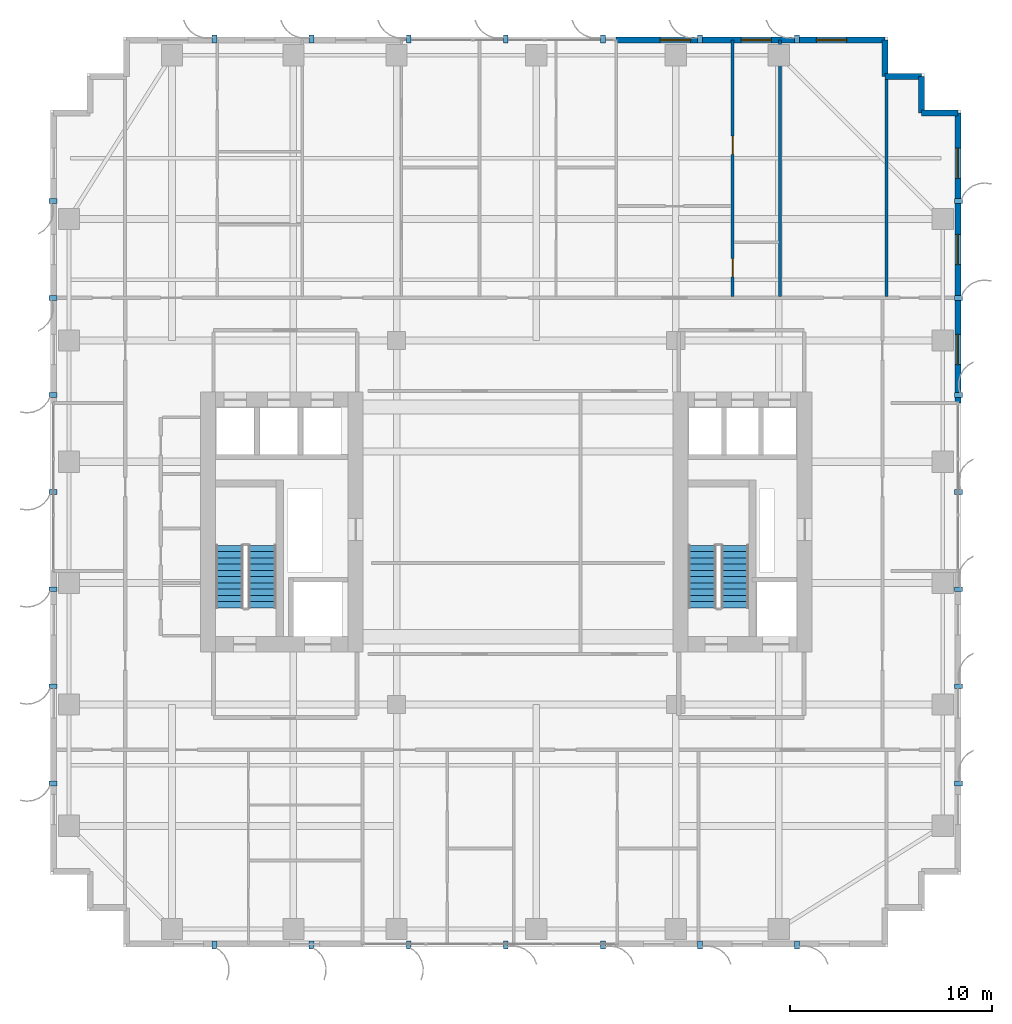
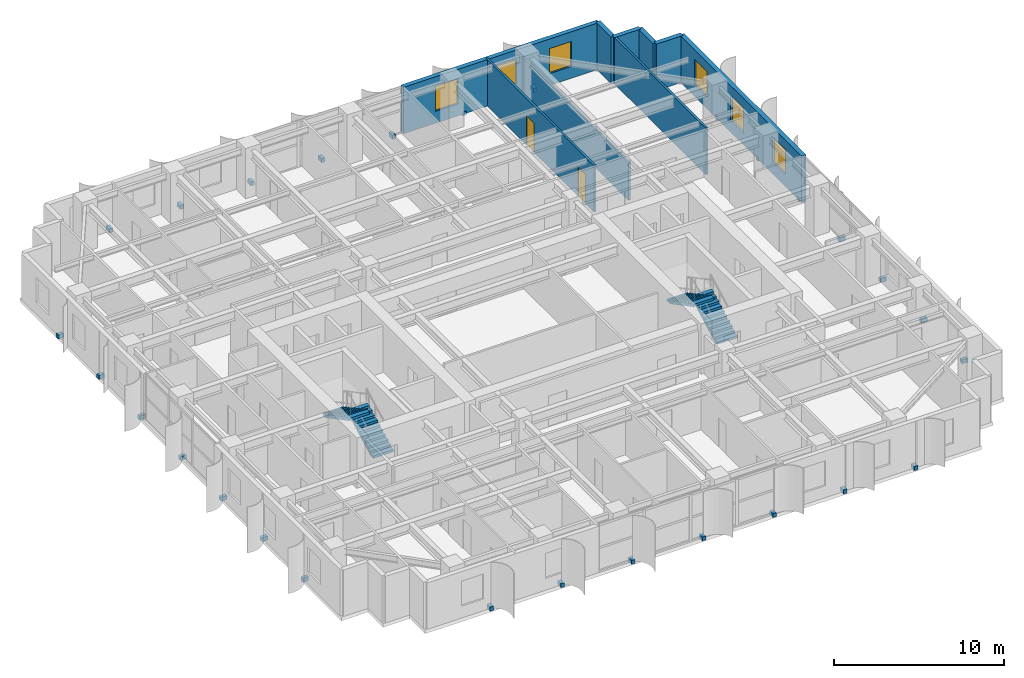
# One storey, part 16 of 19: 28 discrete accessories, 9 walls, 6 windows, 4 stair flights, 2 doors, 8 openings, 2 elements without a shape of their own.
"""IFC4 building model written with IfcOpenShell, lengths in metres."""

from ifc_helpers import new_model, si_unit, direction, frame, frame_2d, origin, origin_2d, place, context, subcontext, project, spatial, polyline, rectangle, outline, extrude, source, transform, mapped, material, layer, layer_set, type_object, element, fill, aggregate, save


model = new_model("IFC4")

# Units and contexts
model_context = context("Model", 3, precision=1e-05, world=origin(), true_north=direction((0.0, 1.0)))
body_context = subcontext(model_context, "Body", "Model", "MODEL_VIEW")
ifc_project = project(units=[si_unit("LENGTHUNIT", "METRE"), si_unit("AREAUNIT", "SQUARE_METRE"), si_unit("VOLUMEUNIT", "CUBIC_METRE"), si_unit("PLANEANGLEUNIT", "RADIAN"), si_unit("MASSUNIT", "GRAM", prefix="KILO")], contexts=[model_context])

# Site, building, storey
site_placement = place(None, origin())
site = spatial("IfcSite", under=ifc_project, at=site_placement, CompositionType="ELEMENT")
building_placement = place(site_placement, origin())
building = spatial("IfcBuilding", under=site, at=building_placement, Name="Khoralis Quay Care Tower", CompositionType="ELEMENT")
storey_placement = place(building_placement, frame((0.0, 0.0, 90.89990234375)))
storey = spatial("IfcBuildingStorey", under=building, at=storey_placement, Name="L23", CompositionType="ELEMENT", Elevation=90.89990234375)

# Wall, openings, windows
ifc_material_1 = material(Name="Precast concrete C45/55", Category="concrete")
ifc_layer_1 = layer(ifc_material_1, 0.300048828125)
ifc_layer_set_1 = layer_set([ifc_layer_1], Name="Precast concrete C45/55")
wall_type_1 = type_object("IfcWallType", Name="WL-EXT-REF-300", PredefinedType="SOLIDWALL", material=ifc_layer_set_1)
wall_1_placement = place(storey_placement, frame((44.85009765625, 26.89990234375, 0.0), z_axis=(0.0, 0.0, 1.0), x_axis=(0.0, 1.0, 0.0)))
wall_1 = element("IfcWall", 1, at=wall_1_placement, inside=storey, type_object=wall_type_1, Name="L23 External Facade Wall WL-EXT-L23-P1-E5B", PredefinedType="SOLIDWALL", context=body_context, shape_type="SweptSolid", body=[
    extrude(rectangle(XDim=14.35009765625, YDim=0.300048828125, at=frame_2d((7.175048828125, 0.0))), origin(), (0.0, 0.0, 1.0), 3.340087890625),
])
opening_1_placement = place(wall_1_placement, frame((1.89990234375, 0.0, 0.85009765625)))
opening_1 = element("IfcOpeningElement", 2, at=opening_1_placement, cuts=wall_1, Name="Opening W3", PredefinedType="OPENING", context=body_context, shape_type="SweptSolid", body=[
    extrude(rectangle(XDim=1.5, YDim=1.800048828125, at=frame_2d((0.75, 0.89990234375))), frame((0.0, 0.16015625, 0.0), z_axis=(0.0, -1.0, 0.0), x_axis=(1.0, 0.0, 0.0)), (0.0, 0.0, 1.0), 0.320068359375),
])
opening_2_placement = place(wall_1_placement, frame((6.842529296875, 0.0, 0.85009765625)))
opening_2 = element("IfcOpeningElement", 3, at=opening_2_placement, cuts=wall_1, Name="Opening W3", PredefinedType="OPENING", context=body_context, shape_type="SweptSolid", body=[
    extrude(rectangle(XDim=1.5, YDim=1.800048828125, at=frame_2d((0.75, 0.89990234375))), frame((0.0, 0.16015625, 0.0), z_axis=(0.0, -1.0, 0.0), x_axis=(1.0, 0.0, 0.0)), (0.0, 0.0, 1.0), 0.320068359375),
])
opening_3_placement = place(wall_1_placement, frame((11.107421875, 0.0, 0.85009765625)))
opening_3 = element("IfcOpeningElement", 4, at=opening_3_placement, cuts=wall_1, Name="Opening W3", PredefinedType="OPENING", context=body_context, shape_type="SweptSolid", body=[
    extrude(rectangle(XDim=1.5, YDim=1.800048828125, at=frame_2d((0.75, 0.89990234375))), frame((0.0, 0.16015625, 0.0), z_axis=(0.0, -1.0, 0.0), x_axis=(1.0, 0.0, 0.0)), (0.0, 0.0, 1.0), 0.320068359375),
])
ifc_material_2 = material(Name="Low-E solar-control double glazing", Category="glass")
window_type = type_object("IfcWindowType", Name="WN-CLIN-1500X1800", PartitioningType="SINGLE_PANEL", PredefinedType="WINDOW", material=ifc_material_2)
shared_shape_1 = source(origin(), body_context, "Body", "SweptSolid", [
    extrude(rectangle(XDim=1.5, YDim=1.800048828125, at=frame_2d((0.75, 0.89990234375))), frame((0.0, 0.030029296875, 0.0), z_axis=(0.0, -1.0, 0.0), x_axis=(1.0, 0.0, 0.0)), (0.0, 0.0, 1.0), 0.06005859375),
])
window_1_placement = place(opening_1_placement, origin())
window_1 = element("IfcWindow", 5, at=window_1_placement, inside=storey, type_object=window_type, Name="WN-L23-P1-E5B Facade Window 01", OverallHeight=1.800048828125, OverallWidth=1.5, PartitioningType="SINGLE_PANEL", PredefinedType="WINDOW", context=body_context, shape_type="MappedRepresentation", body=[
    mapped(shared_shape_1, transform((0.0, 0.0, 0.0), scale=1.0)),
])
fill(opening_1, window_1)
window_2_placement = place(opening_2_placement, origin())
window_2 = element("IfcWindow", 6, at=window_2_placement, inside=storey, type_object=window_type, Name="WN-L23-P1-E5B Facade Window 02", OverallHeight=1.800048828125, OverallWidth=1.5, PartitioningType="SINGLE_PANEL", PredefinedType="WINDOW", context=body_context, shape_type="MappedRepresentation", body=[
    mapped(shared_shape_1, transform((0.0, 0.0, 0.0), scale=1.0)),
])
fill(opening_2, window_2)
window_3_placement = place(opening_3_placement, origin())
window_3 = element("IfcWindow", 7, at=window_3_placement, inside=storey, type_object=window_type, Name="WN-L23-P1-E5B Facade Window 03", OverallHeight=1.800048828125, OverallWidth=1.5, PartitioningType="SINGLE_PANEL", PredefinedType="WINDOW", context=body_context, shape_type="MappedRepresentation", body=[
    mapped(shared_shape_1, transform((0.0, 0.0, 0.0), scale=1.0)),
])
fill(opening_3, window_3)

# Walls
for number, where, z_axis, x_axis, name in (
    (8, (44.85009765625, 41.25, 0.0), (0.0, 0.0, 1.0), (-1.0, 0.0, 0.0), "L23 External Facade Wall WL-EXT-L23-P1-C6"),
    (9, (43.050048828125, 41.25, 0.0), (0.0, 0.0, 1.0), (0.0, 1.0, 0.0), "L23 External Facade Wall WL-EXT-L23-P1-C7"),
    (10, (43.050048828125, 43.050048828125, 0.0), (0.0, 0.0, 1.0), (-1.0, 0.0, 0.0), "L23 External Facade Wall WL-EXT-L23-P1-C8"),
    (11, (41.25, 43.050048828125, 0.0), (0.0, 0.0, 1.0), (0.0, 1.0, 0.0), "L23 External Facade Wall WL-EXT-L23-P1-C9"),
):
    element("IfcWall", number, at=place(storey_placement, frame(where, z_axis=z_axis, x_axis=x_axis)), inside=storey, type_object=wall_type_1, Name=name, PredefinedType="SOLIDWALL", context=body_context, shape_type="SweptSolid", body=[
        extrude(rectangle(XDim=1.800048828125, YDim=0.300048828125, at=frame_2d((0.89990234375, 0.0))), origin(), (0.0, 0.0, 1.0), 3.340087890625),
    ])

# Wall, openings, windows
wall_2_placement = place(storey_placement, frame((41.25, 44.85009765625, 0.0), z_axis=(0.0, 0.0, 1.0), x_axis=(-1.0, 0.0, 0.0)))
wall_2 = element("IfcWall", 12, at=wall_2_placement, inside=storey, type_object=wall_type_1, Name="L23 External Facade Wall WL-EXT-L23-P1-E10A", PredefinedType="SOLIDWALL", context=body_context, shape_type="SweptSolid", body=[
    extrude(rectangle(XDim=13.2900390625, YDim=0.300048828125, at=frame_2d((6.64501953125, 0.0))), origin(), (0.0, 0.0, 1.0), 3.340087890625),
])
opening_4_placement = place(wall_2_placement, frame((1.89501953125, 0.0, 0.85009765625)))
opening_4 = element("IfcOpeningElement", 13, at=opening_4_placement, cuts=wall_2, Name="Opening W3", PredefinedType="OPENING", context=body_context, shape_type="SweptSolid", body=[
    extrude(rectangle(XDim=1.5, YDim=1.800048828125, at=frame_2d((0.75, 0.89990234375))), frame((0.0, 0.16015625, 0.0), z_axis=(0.0, -1.0, 0.0), x_axis=(1.0, 0.0, 0.0)), (0.0, 0.0, 1.0), 0.320068359375),
])
opening_5_placement = place(wall_2_placement, frame((5.614990234375, 0.0, 0.85009765625)))
opening_5 = element("IfcOpeningElement", 14, at=opening_5_placement, cuts=wall_2, Name="Opening W3", PredefinedType="OPENING", context=body_context, shape_type="SweptSolid", body=[
    extrude(rectangle(XDim=1.5, YDim=1.800048828125, at=frame_2d((0.75, 0.89990234375))), frame((0.0, 0.16015625, 0.0), z_axis=(0.0, -1.0, 0.0), x_axis=(1.0, 0.0, 0.0)), (0.0, 0.0, 1.0), 0.320068359375),
])
opening_6_placement = place(wall_2_placement, frame((9.614990234375, 0.0, 0.85009765625)))
opening_6 = element("IfcOpeningElement", 15, at=opening_6_placement, cuts=wall_2, Name="Opening W3", PredefinedType="OPENING", context=body_context, shape_type="SweptSolid", body=[
    extrude(rectangle(XDim=1.5, YDim=1.800048828125, at=frame_2d((0.75, 0.89990234375))), frame((0.0, 0.16015625, 0.0), z_axis=(0.0, -1.0, 0.0), x_axis=(1.0, 0.0, 0.0)), (0.0, 0.0, 1.0), 0.320068359375),
])
window_4_placement = place(opening_4_placement, origin())
window_4 = element("IfcWindow", 16, at=window_4_placement, inside=storey, type_object=window_type, Name="WN-L23-P1-E10A Facade Window 01", OverallHeight=1.800048828125, OverallWidth=1.5, PartitioningType="SINGLE_PANEL", PredefinedType="WINDOW", context=body_context, shape_type="MappedRepresentation", body=[
    mapped(shared_shape_1, transform((0.0, 0.0, 0.0), scale=1.0)),
])
fill(opening_4, window_4)
window_5_placement = place(opening_5_placement, origin())
window_5 = element("IfcWindow", 17, at=window_5_placement, inside=storey, type_object=window_type, Name="WN-L23-P1-E10A Facade Window 02", OverallHeight=1.800048828125, OverallWidth=1.5, PartitioningType="SINGLE_PANEL", PredefinedType="WINDOW", context=body_context, shape_type="MappedRepresentation", body=[
    mapped(shared_shape_1, transform((0.0, 0.0, 0.0), scale=1.0)),
])
fill(opening_5, window_5)
window_6_placement = place(opening_6_placement, origin())
window_6 = element("IfcWindow", 18, at=window_6_placement, inside=storey, type_object=window_type, Name="WN-L23-P1-E10A Facade Window 03", OverallHeight=1.800048828125, OverallWidth=1.5, PartitioningType="SINGLE_PANEL", PredefinedType="WINDOW", context=body_context, shape_type="MappedRepresentation", body=[
    mapped(shared_shape_1, transform((0.0, 0.0, 0.0), scale=1.0)),
])
fill(opening_6, window_6)

# Wall, openings, doors
ifc_material_3 = material(Name="Moisture-resistant gypsum and ceramic tile")
ifc_layer_2 = layer(ifc_material_3, 0.280029296875)
ifc_layer_set_2 = layer_set([ifc_layer_2], Name="Moisture-resistant gypsum and ceramic tile")
wall_type_2 = type_object("IfcWallType", Name="WL-PLUMB-280", PredefinedType="PLUMBINGWALL", material=ifc_layer_set_2)
wall_3_placement = place(storey_placement, frame((33.7099609375, 32.177490234375, 0.0), z_axis=(0.0, 0.0, 1.0), x_axis=(0.0, 1.0, 0.0)))
wall_3 = element("IfcWall", 19, at=wall_3_placement, inside=storey, type_object=wall_type_2, Name="L23 Care Suite 3 En-Suite Wall V", PredefinedType="PLUMBINGWALL", context=body_context, shape_type="SweptSolid", body=[
    extrude(rectangle(XDim=12.677490234375, YDim=0.139892578125, at=frame_2d((6.3388671875, 0.0))), origin(), (0.0, 0.0, 1.0), 3.340087890625),
])
opening_7_placement = place(wall_3_placement, frame((0.96240234375, 0.0, 0.0)))
opening_7 = element("IfcOpeningElement", 20, at=opening_7_placement, cuts=wall_3, Name="Opening WD1", PredefinedType="OPENING", context=body_context, shape_type="SweptSolid", body=[
    extrude(rectangle(XDim=0.89990234375, YDim=2.10009765625, at=frame_2d((0.449951171875, 1.050048828125))), frame((0.0, 0.080078125, 0.0), z_axis=(0.0, -1.0, 0.0), x_axis=(1.0, 0.0, 0.0)), (0.0, 0.0, 1.0), 0.159912109375),
])
opening_8_placement = place(wall_3_placement, frame((7.0224609375, 0.0, 0.0)))
opening_8 = element("IfcOpeningElement", 21, at=opening_8_placement, cuts=wall_3, Name="Opening WD1", PredefinedType="OPENING", context=body_context, shape_type="SweptSolid", body=[
    extrude(rectangle(XDim=0.89990234375, YDim=2.10009765625, at=frame_2d((0.449951171875, 1.050048828125))), frame((0.0, 0.080078125, 0.0), z_axis=(0.0, -1.0, 0.0), x_axis=(1.0, 0.0, 0.0)), (0.0, 0.0, 1.0), 0.159912109375),
])
ifc_material_4 = material(Name="Acoustic hardwood timber", Category="wood")
door_type = type_object("IfcDoorType", Name="DR-BATH-900X2100", OperationType="NOTDEFINED", PredefinedType="DOOR", material=ifc_material_4)
shared_shape_2 = source(origin(), body_context, "Body", "SweptSolid", [
    extrude(rectangle(XDim=0.89990234375, YDim=2.10009765625, at=frame_2d((0.449951171875, 1.050048828125))), frame((0.0, 0.02490234375, 0.0), z_axis=(0.0, -1.0, 0.0), x_axis=(1.0, 0.0, 0.0)), (0.0, 0.0, 1.0), 0.050048828125),
])
door_1_placement = place(opening_7_placement, frame((0.89990234375, 0.0, 0.0), z_axis=(0.0, 0.0, 1.0), x_axis=(-1.0, 0.0, 0.0)))
door_1 = element("IfcDoor", 22, at=door_1_placement, inside=storey, type_object=door_type, Name="L23 Care CENS Door", OperationType="SINGLE_SWING_LEFT", OverallHeight=2.10009765625, OverallWidth=0.89990234375, PredefinedType="DOOR", context=body_context, shape_type="MappedRepresentation", body=[
    mapped(shared_shape_2, transform((0.0, 0.0, 0.0), scale=1.0)),
])
fill(opening_7, door_1)
door_2_placement = place(opening_8_placement, frame((0.89990234375, 0.0, 0.0), z_axis=(0.0, 0.0, 1.0), x_axis=(-1.0, 0.0, 0.0)))
door_2 = element("IfcDoor", 23, at=door_2_placement, inside=storey, type_object=door_type, Name="L23 Care CSIT Door", OperationType="SINGLE_SWING_RIGHT", OverallHeight=2.10009765625, OverallWidth=0.89990234375, PredefinedType="DOOR", context=body_context, shape_type="MappedRepresentation", body=[
    mapped(shared_shape_2, transform((0.0, 0.0, 0.0), scale=1.0)),
])
fill(opening_8, door_2)

# Walls
ifc_material_5 = material(Name="Gypsum plasterboard on acoustic metal stud")
ifc_layer_3 = layer(ifc_material_5, 0.139892578125)
ifc_layer_set_3 = layer_set([ifc_layer_3], Name="Gypsum plasterboard on acoustic metal stud")
wall_type_3 = type_object("IfcWallType", Name="WL-UNIT-140", PredefinedType="PARTITIONING", material=ifc_layer_set_3)
wall_4_placement = place(storey_placement, frame((36.06005859375, 32.177490234375, 0.0), z_axis=(0.0, 0.0, 1.0), x_axis=(0.0, 1.0, 0.0)))
element("IfcWall", 24, at=wall_4_placement, inside=storey, type_object=wall_type_3, Name="L23 NB Demising Wall 4", PredefinedType="PARTITIONING", context=body_context, shape_type="SweptSolid", body=[
    extrude(rectangle(XDim=12.677490234375, YDim=0.139892578125, at=frame_2d((6.3388671875, 0.0))), origin(), (0.0, 0.0, 1.0), 2.72412109375),
])
wall_5_placement = place(storey_placement, frame((41.320068359375, 32.177490234375, 0.0), z_axis=(0.0, 0.0, 1.0), x_axis=(0.0, 1.0, 0.0)))
element("IfcWall", 25, at=wall_5_placement, inside=storey, type_object=wall_type_3, Name="L23 NB Demising Wall 5", PredefinedType="PARTITIONING", context=body_context, shape_type="SweptSolid", body=[
    extrude(rectangle(XDim=10.87744140625, YDim=0.139892578125, at=frame_2d((5.438720703125, 0.0))), origin(), (0.0, 0.0, 1.0), 3.340087890625),
])

# Stair, stair flights
stair_type = type_object("IfcStairType", Name="ST-TWR-DOGLEG-1400", PredefinedType="HALF_TURN_STAIR", material=ifc_material_1)
stair_1_placement = place(storey_placement, origin())
stair_1 = element("IfcStair", 26, at=stair_1_placement, inside=storey, type_object=stair_type, Name="L23 West Core Exit Stair ST-T1", PredefinedType="HALF_TURN_STAIR")
stair_flight_type = type_object("IfcStairFlightType", Name="SF-TWR-1400", PredefinedType="STRAIGHT", material=ifc_material_1)
shared_shape_3 = source(origin(), body_context, "Body", "SweptSolid", [
    extrude(outline(polyline([(0.0, 0.0), (0.0, 0.16357421875), (0.31005859375, 0.16357421875), (0.31005859375, 0.327392578125), (0.6201171875, 0.327392578125), (0.6201171875, 0.490966796875), (0.929931640625, 0.490966796875), (0.929931640625, 0.654541015625), (1.239990234375, 0.654541015625), (1.239990234375, 0.818115234375), (1.550048828125, 0.818115234375), (1.550048828125, 0.98193359375), (1.860107421875, 0.98193359375), (1.860107421875, 1.1455078125), (2.169921875, 1.1455078125), (2.169921875, 1.30908203125), (2.47998046875, 1.30908203125), (2.47998046875, 1.47265625), (2.7900390625, 1.47265625), (2.7900390625, 1.636474609375), (3.10009765625, 1.636474609375), (3.10009765625, 1.800048828125), (3.10009765625, 1.466796875), (0.321044921875, 0.0), (0.0, 0.0)])), frame((0.0, 0.68994140625, 0.0), z_axis=(0.0, -1.0, 0.0), x_axis=(1.0, 0.0, 0.0)), (0.0, 0.0, 1.0), 1.3798828125),
])
stair_flight_1_placement = place(storey_placement, frame((10.4599609375, 16.77001953125, 0.0), z_axis=(0.0, 0.0, 1.0), x_axis=(0.0, 1.0, 0.0)))
stair_flight_1 = element("IfcStairFlight", 27, at=stair_flight_1_placement, type_object=stair_flight_type, Name="ST-T1 flight 1", NumberOfRisers=11, NumberOfTreads=10, PredefinedType="STRAIGHT", RiserHeight=0.163636364, TreadLength=0.31, context=body_context, shape_type="MappedRepresentation", body=[
    mapped(shared_shape_3, transform((0.0, 0.0, 0.0), scale=1.0)),
])
stair_flight_2_placement = place(storey_placement, frame((8.840087890625, 19.8701171875, 1.800048828125), z_axis=(0.0, 0.0, 1.0), x_axis=(0.0, -1.0, 0.0)))
stair_flight_2 = element("IfcStairFlight", 28, at=stair_flight_2_placement, type_object=stair_flight_type, Name="ST-T1 flight 2", NumberOfRisers=11, NumberOfTreads=10, PredefinedType="STRAIGHT", RiserHeight=0.163636364, TreadLength=0.31, context=body_context, shape_type="MappedRepresentation", body=[
    mapped(shared_shape_3, transform((0.0, 0.0, 0.0), scale=1.0)),
])
aggregate(stair_1, [stair_flight_1, stair_flight_2])

stair_2_placement = place(storey_placement, origin())
stair_2 = element("IfcStair", 29, at=stair_2_placement, inside=storey, type_object=stair_type, Name="L23 East Core Exit Stair ST-T2", PredefinedType="HALF_TURN_STAIR")
stair_flight_3_placement = place(storey_placement, frame((33.830078125, 16.77001953125, 0.0), z_axis=(0.0, 0.0, 1.0), x_axis=(0.0, 1.0, 0.0)))
stair_flight_3 = element("IfcStairFlight", 30, at=stair_flight_3_placement, type_object=stair_flight_type, Name="ST-T2 flight 1", NumberOfRisers=11, NumberOfTreads=10, PredefinedType="STRAIGHT", RiserHeight=0.163636364, TreadLength=0.31, context=body_context, shape_type="MappedRepresentation", body=[
    mapped(shared_shape_3, transform((0.0, 0.0, 0.0), scale=1.0)),
])
stair_flight_4_placement = place(storey_placement, frame((32.2099609375, 19.8701171875, 1.800048828125), z_axis=(0.0, 0.0, 1.0), x_axis=(0.0, -1.0, 0.0)))
stair_flight_4 = element("IfcStairFlight", 31, at=stair_flight_4_placement, type_object=stair_flight_type, Name="ST-T2 flight 2", NumberOfRisers=11, NumberOfTreads=10, PredefinedType="STRAIGHT", RiserHeight=0.163636364, TreadLength=0.31, context=body_context, shape_type="MappedRepresentation", body=[
    mapped(shared_shape_3, transform((0.0, 0.0, 0.0), scale=1.0)),
])
aggregate(stair_2, [stair_flight_3, stair_flight_4])

# Discrete accessories
ifc_material_6 = material(Name="Brushed stainless steel", Category="steel")
discrete_accessory_type = type_object("IfcDiscreteAccessoryType", Name="ACC-FIN-BRACKET", PredefinedType="BRACKET", material=ifc_material_6)
shared_shape_4 = source(origin(), body_context, "Body", "SweptSolid", [
    extrude(rectangle(XDim=0.39990234375, YDim=0.239990234375, at=origin_2d()), origin(), (0.0, 0.0, 1.0), 0.280029296875),
])
for number, where, z_axis, x_axis, name in (
    (32, (8.10009765625, 0.110107421875, -0.1201171875), (0.0, 0.0, 1.0), (0.0, -1.0, 0.0), "L23 Solar Fin Bracket P1E0-01"),
    (33, (12.89990234375, 0.110107421875, -0.1201171875), (0.0, 0.0, 1.0), (0.0, -1.0, 0.0), "L23 Solar Fin Bracket P1E0-02"),
    (34, (17.699951171875, 0.110107421875, -0.1201171875), (0.0, 0.0, 1.0), (0.0, -1.0, 0.0), "L23 Solar Fin Bracket P1E0-03"),
    (35, (22.5, 0.110107421875, -0.1201171875), (0.0, 0.0, 1.0), (0.0, -1.0, 0.0), "L23 Solar Fin Bracket P1E0-04"),
    (36, (27.300048828125, 0.110107421875, -0.1201171875), (0.0, 0.0, 1.0), (0.0, -1.0, 0.0), "L23 Solar Fin Bracket P1E0-05"),
    (37, (32.10009765625, 0.110107421875, -0.1201171875), (0.0, 0.0, 1.0), (0.0, -1.0, 0.0), "L23 Solar Fin Bracket P1E0-06"),
    (38, (36.89990234375, 0.110107421875, -0.1201171875), (0.0, 0.0, 1.0), (0.0, -1.0, 0.0), "L23 Solar Fin Bracket P1E0-07"),
    (39, (44.889892578125, 8.10009765625, -0.1201171875), (0.0, 0.0, 1.0), (1.0, 0.0, 0.0), "L23 Solar Fin Bracket P1E5-01"),
    (40, (44.889892578125, 12.89990234375, -0.1201171875), (0.0, 0.0, 1.0), (1.0, 0.0, 0.0), "L23 Solar Fin Bracket P1E5-02"),
    (41, (44.889892578125, 17.699951171875, -0.1201171875), (0.0, 0.0, 1.0), (1.0, 0.0, 0.0), "L23 Solar Fin Bracket P1E5-03"),
    (42, (44.889892578125, 22.5, -0.1201171875), (0.0, 0.0, 1.0), (1.0, 0.0, 0.0), "L23 Solar Fin Bracket P1E5-04"),
    (43, (44.889892578125, 27.300048828125, -0.1201171875), (0.0, 0.0, 1.0), (1.0, 0.0, 0.0), "L23 Solar Fin Bracket P1E5-05"),
    (44, (44.889892578125, 32.10009765625, -0.1201171875), (0.0, 0.0, 1.0), (1.0, 0.0, 0.0), "L23 Solar Fin Bracket P1E5-06"),
    (45, (44.889892578125, 36.89990234375, -0.1201171875), (0.0, 0.0, 1.0), (1.0, 0.0, 0.0), "L23 Solar Fin Bracket P1E5-07"),
    (46, (36.89990234375, 44.889892578125, -0.1201171875), (0.0, 0.0, 1.0), (0.0, 1.0, 0.0), "L23 Solar Fin Bracket P1E10-01"),
    (47, (32.10009765625, 44.889892578125, -0.1201171875), (0.0, 0.0, 1.0), (0.0, 1.0, 0.0), "L23 Solar Fin Bracket P1E10-02"),
    (48, (27.300048828125, 44.889892578125, -0.1201171875), (0.0, 0.0, 1.0), (0.0, 1.0, 0.0), "L23 Solar Fin Bracket P1E10-03"),
    (49, (22.5, 44.889892578125, -0.1201171875), (0.0, 0.0, 1.0), (0.0, 1.0, 0.0), "L23 Solar Fin Bracket P1E10-04"),
    (50, (17.699951171875, 44.889892578125, -0.1201171875), (0.0, 0.0, 1.0), (0.0, 1.0, 0.0), "L23 Solar Fin Bracket P1E10-05"),
    (51, (12.89990234375, 44.889892578125, -0.1201171875), (0.0, 0.0, 1.0), (0.0, 1.0, 0.0), "L23 Solar Fin Bracket P1E10-06"),
    (52, (8.10009765625, 44.889892578125, -0.1201171875), (0.0, 0.0, 1.0), (0.0, 1.0, 0.0), "L23 Solar Fin Bracket P1E10-07"),
    (53, (0.110107421875, 36.89990234375, -0.1201171875), (0.0, 0.0, 1.0), (-1.0, 0.0, 0.0), "L23 Solar Fin Bracket P1E15-01"),
    (54, (0.110107421875, 32.10009765625, -0.1201171875), (0.0, 0.0, 1.0), (-1.0, 0.0, 0.0), "L23 Solar Fin Bracket P1E15-02"),
    (55, (0.110107421875, 27.300048828125, -0.1201171875), (0.0, 0.0, 1.0), (-1.0, 0.0, 0.0), "L23 Solar Fin Bracket P1E15-03"),
    (56, (0.110107421875, 22.5, -0.1201171875), (0.0, 0.0, 1.0), (-1.0, 0.0, 0.0), "L23 Solar Fin Bracket P1E15-04"),
    (57, (0.110107421875, 17.699951171875, -0.1201171875), (0.0, 0.0, 1.0), (-1.0, 0.0, 0.0), "L23 Solar Fin Bracket P1E15-05"),
    (58, (0.110107421875, 12.89990234375, -0.1201171875), (0.0, 0.0, 1.0), (-1.0, 0.0, 0.0), "L23 Solar Fin Bracket P1E15-06"),
    (59, (0.110107421875, 8.10009765625, -0.1201171875), (0.0, 0.0, 1.0), (-1.0, 0.0, 0.0), "L23 Solar Fin Bracket P1E15-07"),
):
    element("IfcDiscreteAccessory", number, at=place(storey_placement, frame(where, z_axis=z_axis, x_axis=x_axis)), inside=storey, type_object=discrete_accessory_type, Name=name, PredefinedType="BRACKET", context=body_context, shape_type="MappedRepresentation", body=[
        mapped(shared_shape_4, transform((0.0, 0.0, 0.0), scale=1.0)),
    ])

save(model, "model.ifc")
